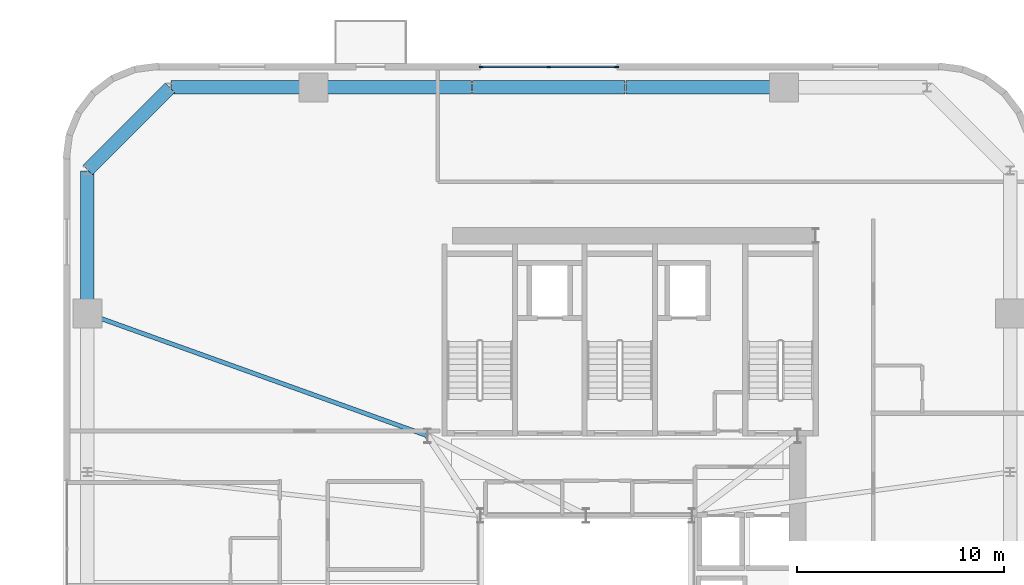
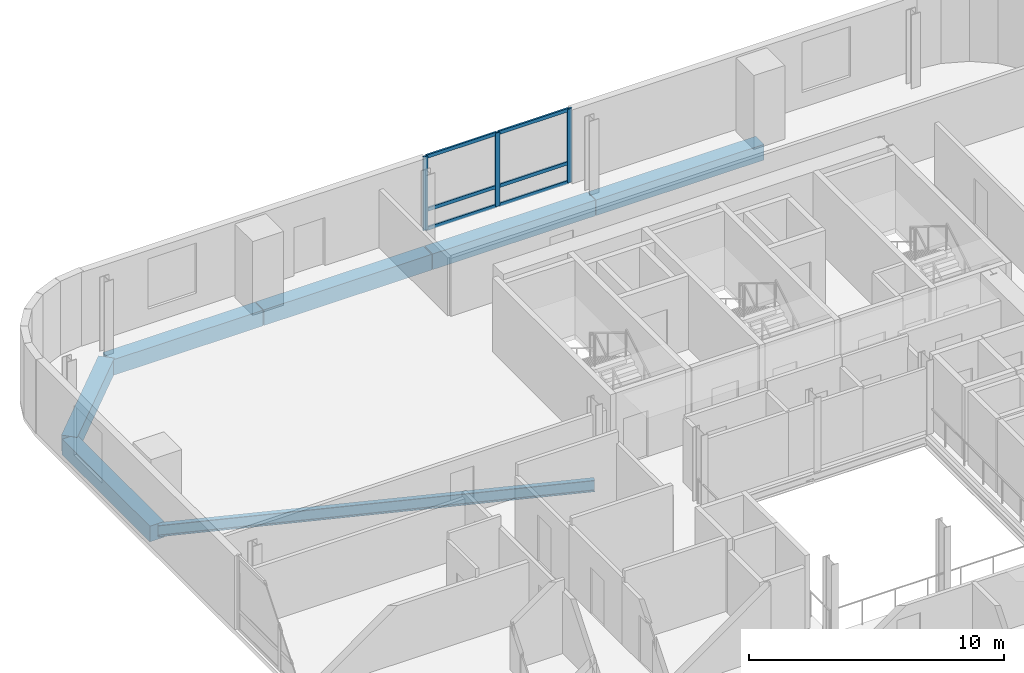
# One storey, part 6 of 15: 9 members, 7 beams, 1 element without a shape of its own.
"""IFC4 building model written with IfcOpenShell, lengths in metres."""

from ifc_helpers import new_model, si_unit, direction, frame, origin, origin_2d, place, context, subcontext, project, spatial, rectangle, i_section, extrude, source, transform, mapped, material, material_profile, profile_set, type_object, element, aggregate, save


model = new_model("IFC4")

# Units and contexts
model_context = context("Model", 3, precision=1e-05, world=origin(), true_north=direction((0.0, 1.0)))
body_context = subcontext(model_context, "Body", "Model", "MODEL_VIEW")
ifc_project = project(units=[si_unit("LENGTHUNIT", "METRE"), si_unit("AREAUNIT", "SQUARE_METRE"), si_unit("VOLUMEUNIT", "CUBIC_METRE"), si_unit("PLANEANGLEUNIT", "RADIAN"), si_unit("MASSUNIT", "GRAM", prefix="KILO")], contexts=[model_context])

# Site, building, storey
site_placement = place(None, origin())
site = spatial("IfcSite", under=ifc_project, at=site_placement, CompositionType="ELEMENT")
building_placement = place(site_placement, origin())
building = spatial("IfcBuilding", under=site, at=building_placement, Name="Vardaveli Station Tower", CompositionType="ELEMENT")
storey_placement = place(building_placement, frame((0.0, 0.0, 207.300048828125)))
storey = spatial("IfcBuildingStorey", under=building, at=storey_placement, Name="L53", CompositionType="ELEMENT", Elevation=207.300048828125)

# Beams
ifc_material_1 = material(Name="Precast concrete C45/55", Category="concrete")
ifc_material_profile_1 = material_profile(ifc_material_1, rectangle(XDim=0.64990234375, YDim=0.75, at=origin_2d()), Name="LPB 650x750")
ifc_profile_set_1 = profile_set([ifc_material_profile_1], Name="Precast concrete C45/55")
beam_type_1 = type_object("IfcBeamType", Name="BM-LPB-750", PredefinedType="BEAM", material=ifc_profile_set_1)
shared_shape_1 = source(origin(), body_context, "Body", "SweptSolid", [
    extrude(rectangle(XDim=0.64990234375, YDim=0.75, at=origin_2d()), origin(), (0.0, 0.0, 1.0), 7.60009765625),
])
for number, where, z_axis, x_axis, name in (
    (1, (45.820068359375, 47.449951171875, -0.594970703125), (-1.0, 0.0, 0.0), (0.0, -1.0, 0.0), "RBM-L53-13"),
    (2, (30.780029296875, 47.449951171875, -0.594970703125), (-1.0, 0.0, 0.0), (0.0, -1.0, 0.0), "RBM-L53-15"),
):
    element("IfcBeam", number, at=place(storey_placement, frame(where, z_axis=z_axis, x_axis=x_axis)), inside=storey, type_object=beam_type_1, Name=name, PredefinedType="BEAM", context=body_context, shape_type="MappedRepresentation", body=[
        mapped(shared_shape_1, transform((0.0, 0.0, 0.0), scale=1.0)),
    ])
shared_shape_2 = source(origin(), body_context, "Body", "SweptSolid", [
    extrude(rectangle(XDim=0.64990234375, YDim=0.75, at=origin_2d()), origin(), (0.0, 0.0, 1.0), 7.35986328125),
])
beam_1_placement = place(storey_placement, frame((38.179931640625, 47.449951171875, -0.594970703125), z_axis=(-1.0, 0.0, 0.0), x_axis=(0.0, -1.0, 0.0)))
element("IfcBeam", 3, at=beam_1_placement, inside=storey, type_object=beam_type_1, Name="RBM-L53-14", PredefinedType="BEAM", context=body_context, shape_type="MappedRepresentation", body=[
    mapped(shared_shape_2, transform((0.0, 0.0, 0.0), scale=1.0)),
])
shared_shape_3 = source(origin(), body_context, "Body", "SweptSolid", [
    extrude(rectangle(XDim=0.64990234375, YDim=0.75, at=origin_2d()), origin(), (0.0, 0.0, 1.0), 6.869873046875),
])
for number, where, z_axis, x_axis, name in (
    (4, (23.139892578125, 47.449951171875, -0.594970703125), (-1.0, 0.0, 0.0), (0.0, -1.0, 0.0), "RBM-L53-16"),
    (5, (12.25, 43.429931640625, -0.594970703125), (0.0, -1.0, 0.0), (1.0, 0.0, 0.0), "RBM-L53-18"),
):
    element("IfcBeam", number, at=place(storey_placement, frame(where, z_axis=z_axis, x_axis=x_axis)), inside=storey, type_object=beam_type_1, Name=name, PredefinedType="BEAM", context=body_context, shape_type="MappedRepresentation", body=[
        mapped(shared_shape_3, transform((0.0, 0.0, 0.0), scale=1.0)),
    ])
shared_shape_4 = source(origin(), body_context, "Body", "SweptSolid", [
    extrude(rectangle(XDim=0.64990234375, YDim=0.75, at=origin_2d()), origin(), (0.0, 0.0, 1.0), 5.61669921875),
])
beam_2_placement = place(storey_placement, frame((16.23583984375, 47.435791015625, -0.594970703125), z_axis=(-0.707106781187, -0.707106781187, 0.0), x_axis=(0.707106781187, -0.707106781187, 0.0)))
element("IfcBeam", 6, at=beam_2_placement, inside=storey, type_object=beam_type_1, Name="RBM-L53-17", PredefinedType="BEAM", context=body_context, shape_type="MappedRepresentation", body=[
    mapped(shared_shape_4, transform((0.0, 0.0, 0.0), scale=1.0)),
])
ifc_material_2 = material(Name="Structural steel S355J2", Category="steel")
ifc_material_profile_2 = material_profile(ifc_material_2, i_section(OverallWidth=0.2099609375, OverallDepth=0.550048828125, WebThickness=0.010986328125, FlangeThickness=0.01708984375, FilletRadius=0.02392578125, at=origin_2d()), Name="IPE 550")
ifc_profile_set_2 = profile_set([ifc_material_profile_2], Name="Structural steel S355J2")
beam_type_2 = type_object("IfcBeamType", Name="BM-IPE550", PredefinedType="BEAM", material=ifc_profile_set_2)
shared_shape_5 = source(origin(), body_context, "Body", "SweptSolid", [
    extrude(i_section(OverallWidth=0.2099609375, OverallDepth=0.550048828125, WebThickness=0.010986328125, FlangeThickness=0.01708984375, FilletRadius=0.02392578125, at=origin_2d()), origin(), (0.0, 0.0, 1.0), 17.385498046875),
])
beam_3_placement = place(storey_placement, frame((12.268798828125, 36.533203125, -0.4951171875), z_axis=(0.941143134401, -0.338008284766, 0.0), x_axis=(0.338008284766, 0.941143134401, 0.0)))
element("IfcBeam", 7, at=beam_3_placement, inside=storey, type_object=beam_type_2, Name="GBM-L53-12", PredefinedType="BEAM", context=body_context, shape_type="MappedRepresentation", body=[
    mapped(shared_shape_5, transform((0.0, 0.0, 0.0), scale=1.0)),
])

# Curtain wall, members
ifc_material_3 = material(Name="Travertine stone and solar-control glass", Category="masonry")
curtain_wall_type = type_object("IfcCurtainWallType", Name="CW-SYS-5", PredefinedType="NOTDEFINED", material=ifc_material_3)
curtain_wall_placement = place(storey_placement, origin())
curtain_wall = element("IfcCurtainWall", 8, at=curtain_wall_placement, inside=storey, type_object=curtain_wall_type, Name="CW-L53-N", PredefinedType="NOTDEFINED")
ifc_material_4 = material(Name="Anodised aluminium alloy 6063-T6", Category="aluminium")
ifc_material_profile_3 = material_profile(ifc_material_4, rectangle(XDim=0.080078125, YDim=0.1650390625, at=origin_2d()), Name="CWT 80x165")
ifc_profile_set_3 = profile_set([ifc_material_profile_3], Name="Anodised aluminium alloy 6063-T6")
member_type_1 = type_object("IfcMemberType", Name="CW-SYS-5-TRAN", PredefinedType="NOTDEFINED", material=ifc_profile_set_3)
shared_shape_6 = source(origin(), body_context, "Body", "SweptSolid", [
    extrude(rectangle(XDim=0.080078125, YDim=0.1650390625, at=origin_2d()), origin(), (0.0, 0.0, 1.0), 3.179931640625),
])
member_1_placement = place(storey_placement, frame((37.719970703125, 48.43994140625, 0.0400390625), z_axis=(-1.0, 0.0, 0.0), x_axis=(0.0, -1.0, 0.0)))
member_1 = element("IfcMember", 9, at=member_1_placement, type_object=member_type_1, Name="CW-5 transom 1.1", ObjectType="TRANSOM", PredefinedType="USERDEFINED", context=body_context, shape_type="MappedRepresentation", body=[
    mapped(shared_shape_6, transform((0.0, 0.0, 0.0), scale=1.0)),
])
member_2_placement = place(storey_placement, frame((37.719970703125, 48.43994140625, 0.949951171875), z_axis=(-1.0, 0.0, 0.0), x_axis=(0.0, -1.0, 0.0)))
member_2 = element("IfcMember", 10, at=member_2_placement, type_object=member_type_1, Name="CW-5 transom 1.2", ObjectType="TRANSOM", PredefinedType="USERDEFINED", context=body_context, shape_type="MappedRepresentation", body=[
    mapped(shared_shape_6, transform((0.0, 0.0, 0.0), scale=1.0)),
])
member_3_placement = place(storey_placement, frame((37.719970703125, 48.43994140625, 3.489990234375), z_axis=(-1.0, 0.0, 0.0), x_axis=(0.0, -1.0, 0.0)))
member_3 = element("IfcMember", 11, at=member_3_placement, type_object=member_type_1, Name="CW-5 transom 1.3", ObjectType="TRANSOM", PredefinedType="USERDEFINED", context=body_context, shape_type="MappedRepresentation", body=[
    mapped(shared_shape_6, transform((0.0, 0.0, 0.0), scale=1.0)),
])
member_4_placement = place(storey_placement, frame((34.4599609375, 48.43994140625, 0.0400390625), z_axis=(-1.0, 0.0, 0.0), x_axis=(0.0, -1.0, 0.0)))
member_4 = element("IfcMember", 12, at=member_4_placement, type_object=member_type_1, Name="CW-5 transom 2.1", ObjectType="TRANSOM", PredefinedType="USERDEFINED", context=body_context, shape_type="MappedRepresentation", body=[
    mapped(shared_shape_6, transform((0.0, 0.0, 0.0), scale=1.0)),
])
member_5_placement = place(storey_placement, frame((34.4599609375, 48.43994140625, 0.949951171875), z_axis=(-1.0, 0.0, 0.0), x_axis=(0.0, -1.0, 0.0)))
member_5 = element("IfcMember", 13, at=member_5_placement, type_object=member_type_1, Name="CW-5 transom 2.2", ObjectType="TRANSOM", PredefinedType="USERDEFINED", context=body_context, shape_type="MappedRepresentation", body=[
    mapped(shared_shape_6, transform((0.0, 0.0, 0.0), scale=1.0)),
])
member_6_placement = place(storey_placement, frame((34.4599609375, 48.43994140625, 3.489990234375), z_axis=(-1.0, 0.0, 0.0), x_axis=(0.0, -1.0, 0.0)))
member_6 = element("IfcMember", 14, at=member_6_placement, type_object=member_type_1, Name="CW-5 transom 2.3", ObjectType="TRANSOM", PredefinedType="USERDEFINED", context=body_context, shape_type="MappedRepresentation", body=[
    mapped(shared_shape_6, transform((0.0, 0.0, 0.0), scale=1.0)),
])
ifc_material_profile_4 = material_profile(ifc_material_4, rectangle(XDim=0.080078125, YDim=0.205078125, at=origin_2d()), Name="CWM 80x205")
ifc_profile_set_4 = profile_set([ifc_material_profile_4], Name="Anodised aluminium alloy 6063-T6")
member_type_2 = type_object("IfcMemberType", Name="CW-SYS-5-MULL", PredefinedType="MULLION", material=ifc_profile_set_4)
shared_shape_7 = source(origin(), body_context, "Body", "SweptSolid", [
    extrude(rectangle(XDim=0.080078125, YDim=0.205078125, at=origin_2d()), origin(), (0.0, 0.0, 1.0), 3.530029296875),
])
member_7_placement = place(storey_placement, frame((37.760009765625, 48.43994140625, 0.0), z_axis=(0.0, 0.0, 1.0), x_axis=(0.0, -1.0, 0.0)))
member_7 = element("IfcMember", 15, at=member_7_placement, type_object=member_type_2, Name="CW-5 mullion 1", PredefinedType="MULLION", context=body_context, shape_type="MappedRepresentation", body=[
    mapped(shared_shape_7, transform((0.0, 0.0, 0.0), scale=1.0)),
])
member_8_placement = place(storey_placement, frame((34.5, 48.43994140625, 0.0), z_axis=(0.0, 0.0, 1.0), x_axis=(0.0, -1.0, 0.0)))
member_8 = element("IfcMember", 16, at=member_8_placement, type_object=member_type_2, Name="CW-5 mullion 2", PredefinedType="MULLION", context=body_context, shape_type="MappedRepresentation", body=[
    mapped(shared_shape_7, transform((0.0, 0.0, 0.0), scale=1.0)),
])
member_9_placement = place(storey_placement, frame((31.239990234375, 48.43994140625, 0.0), z_axis=(0.0, 0.0, 1.0), x_axis=(0.0, -1.0, 0.0)))
member_9 = element("IfcMember", 17, at=member_9_placement, type_object=member_type_2, Name="CW-5 mullion 3", PredefinedType="MULLION", context=body_context, shape_type="MappedRepresentation", body=[
    mapped(shared_shape_7, transform((0.0, 0.0, 0.0), scale=1.0)),
])
aggregate(curtain_wall, [member_7, member_8, member_9, member_1, member_2, member_3, member_4, member_5, member_6])

save(model, "model.ifc")
